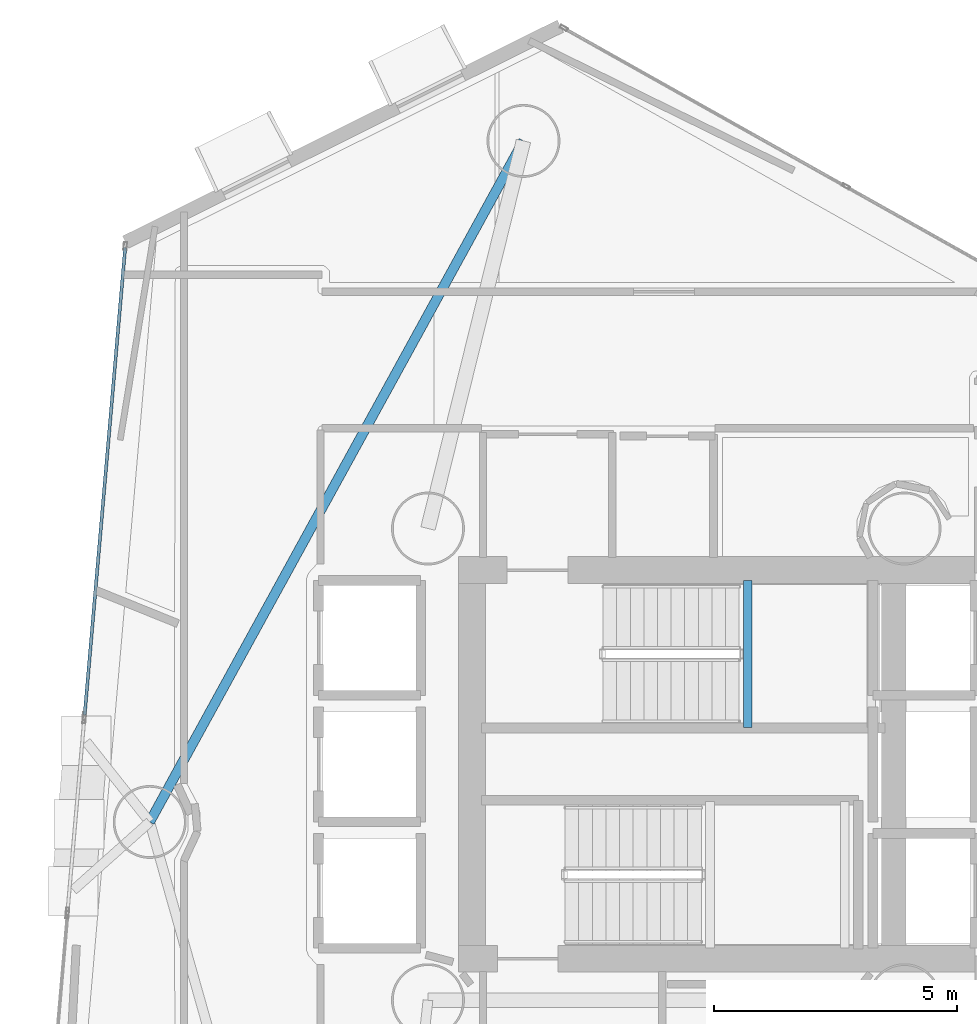
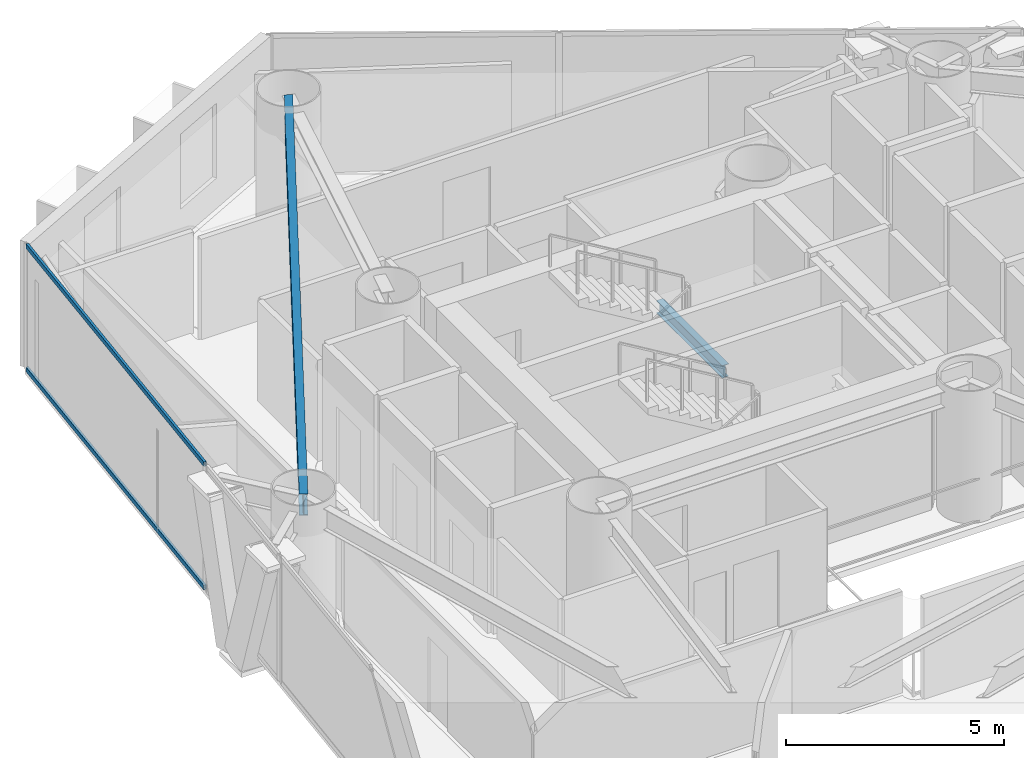
# One storey, part 7 of 19: 2 beams, 2 members, 1 element without a shape of its own.
"""IFC4 building model written with IfcOpenShell, lengths in metres."""

from ifc_helpers import new_model, si_unit, direction, frame, origin, origin_2d, place, context, subcontext, project, spatial, hollow_rectangle, i_section, extrude, material, layer, layer_set, material_profile, profile_set, type_object, element, aggregate, save


model = new_model("IFC4")

# Units and contexts
model_context = context("Model", 3, precision=1e-05, world=origin(), true_north=direction((0.0, 1.0)))
body_context = subcontext(model_context, "Body", "Model", "MODEL_VIEW")
ifc_project = project(units=[si_unit("LENGTHUNIT", "METRE"), si_unit("AREAUNIT", "SQUARE_METRE"), si_unit("VOLUMEUNIT", "CUBIC_METRE"), si_unit("PLANEANGLEUNIT", "RADIAN"), si_unit("MASSUNIT", "GRAM", prefix="KILO")], contexts=[model_context])

# Site, building, storey
site_placement = place(None, origin())
site = spatial("IfcSite", under=ifc_project, at=site_placement, CompositionType="ELEMENT")
building_placement = place(site_placement, origin())
building = spatial("IfcBuilding", under=site, at=building_placement, Name="Qianvela Tower", CompositionType="ELEMENT")
storey_placement = place(building_placement, frame((0.0, 0.0, 123.699951171875)))
storey = spatial("IfcBuildingStorey", under=building, at=storey_placement, Name="L31", CompositionType="ELEMENT", Elevation=123.699951171875)

# Beams
ifc_material_1 = material(Name="Steel Q355B", Category="steel")
ifc_material_profile_1 = material_profile(ifc_material_1, i_section(OverallWidth=0.175048828125, OverallDepth=0.35009765625, WebThickness=0.007080078125, FlangeThickness=0.010986328125, at=origin_2d()), Name="HN350x175x7x11")
ifc_profile_set_1 = profile_set([ifc_material_profile_1], Name="Steel Q355B")
beam_type_1 = type_object("IfcBeamType", Name="BM-HN350-JOIST", PredefinedType="JOIST", material=ifc_profile_set_1)
beam_1_placement = place(storey_placement, frame((35.179931640625, 29.4599609375, 1.47509765625), z_axis=(0.0, 1.0, 0.0), x_axis=(-1.0, 0.0, 0.0)))
element("IfcBeam", 1, at=beam_1_placement, inside=storey, type_object=beam_type_1, Name="L31 Stair ST-1 Landing Support Beam 1.1", PredefinedType="JOIST", context=body_context, shape_type="SweptSolid", body=[
    extrude(i_section(OverallWidth=0.175048828125, OverallDepth=0.35009765625, WebThickness=0.007080078125, FlangeThickness=0.010986328125, at=origin_2d()), origin(), (0.0, 0.0, 1.0), 3.02001953125),
])
ifc_material_2 = material(Name="Steel Q355B", Category="steel")
ifc_material_profile_2 = material_profile(ifc_material_2, i_section(OverallWidth=0.199951171875, OverallDepth=0.60009765625, WebThickness=0.010986328125, FlangeThickness=0.01708984375, at=origin_2d()), Name="HN600x200x11x17")
ifc_profile_set_2 = profile_set([ifc_material_profile_2], Name="Steel Q355B")
beam_type_2 = type_object("IfcBeamType", Name="BM-HN600-GIRD", PredefinedType="BEAM", material=ifc_profile_set_2)
beam_2_placement = place(storey_placement, frame((30.56396484375, 41.52099609375, 3.218017578125), z_axis=(-0.481118353038, -0.876655650965, 0.0), x_axis=(0.876655650965, -0.481118353038, 0.0)))
element("IfcBeam", 2, at=beam_2_placement, inside=storey, type_object=beam_type_2, Name="L31 Perimeter Ring Spandrel Girder 3", PredefinedType="BEAM", context=body_context, shape_type="SweptSolid", body=[
    extrude(i_section(OverallWidth=0.199951171875, OverallDepth=0.60009765625, WebThickness=0.010986328125, FlangeThickness=0.01708984375, at=origin_2d()), origin(), (0.0, 0.0, 1.0), 15.975341796875),
])

# Curtain wall, members
ifc_material_3 = material(Name="Anodised Architectural Aluminium and Low-E Glass", Category="aluminium")
ifc_layer = layer(ifc_material_3, 0.169921875)
ifc_layer_set = layer_set([ifc_layer], Name="Anodised Architectural Aluminium and Low-E Glass")
curtain_wall_type = type_object("IfcCurtainWallType", Name="CW-COLIV-Z34", PredefinedType="USERDEFINED", material=ifc_layer_set)
curtain_wall_placement = place(storey_placement, origin())
curtain_wall = element("IfcCurtainWall", 3, at=curtain_wall_placement, inside=storey, type_object=curtain_wall_type, Name="L31 CW-COLIV-Z34 Curtain Wall 04A", ObjectType="CURTAIN_WALL_SYSTEM", PredefinedType="USERDEFINED")
ifc_material_4 = material(Name="Anodised Architectural Aluminium 6063-T6", Category="aluminium")
ifc_material_profile_3 = material_profile(ifc_material_4, hollow_rectangle(XDim=0.06494140625, YDim=0.1298828125, WallThickness=0.00439453125, at=origin_2d()), Name="ALU-TRAN-65x130")
ifc_profile_set_3 = profile_set([ifc_material_profile_3], Name="Anodised Architectural Aluminium 6063-T6")
member_type = type_object("IfcMemberType", Name="CW-COLIV-Z34-TRAN", PredefinedType="USERDEFINED", material=ifc_profile_set_3)
member_1_placement = place(storey_placement, frame((22.372802734375, 39.32470703125, 0.032470703125), z_axis=(-0.086461316849, -0.996255208613, 0.0), x_axis=(0.996255208613, -0.086461316849, 0.0)))
member_1 = element("IfcMember", 4, at=member_1_placement, type_object=member_type, Name="CW-4 transom 1.1", ObjectType="TRANSOM", PredefinedType="USERDEFINED", context=body_context, shape_type="SweptSolid", body=[
    extrude(hollow_rectangle(XDim=0.06494140625, YDim=0.1298828125, WallThickness=0.00439453125, at=origin_2d()), origin(), (0.0, 0.0, 1.0), 9.64013671875),
])
member_2_placement = place(storey_placement, frame((22.372802734375, 39.32470703125, 3.487548828125), z_axis=(-0.086461316849, -0.996255208613, 0.0), x_axis=(0.996255208613, -0.086461316849, 0.0)))
member_2 = element("IfcMember", 5, at=member_2_placement, type_object=member_type, Name="CW-4 transom 1.2", ObjectType="TRANSOM", PredefinedType="USERDEFINED", context=body_context, shape_type="SweptSolid", body=[
    extrude(hollow_rectangle(XDim=0.06494140625, YDim=0.1298828125, WallThickness=0.00439453125, at=origin_2d()), origin(), (0.0, 0.0, 1.0), 9.64013671875),
])
aggregate(curtain_wall, [member_1, member_2])

save(model, "model.ifc")
